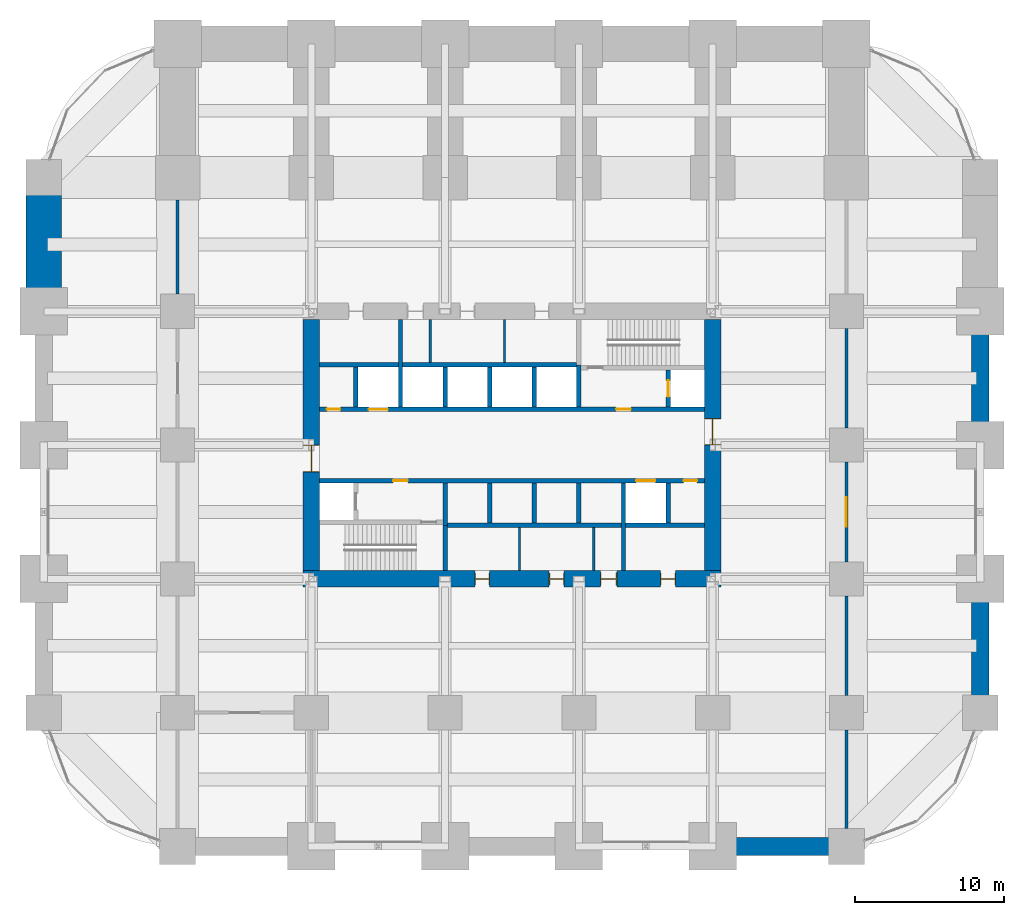
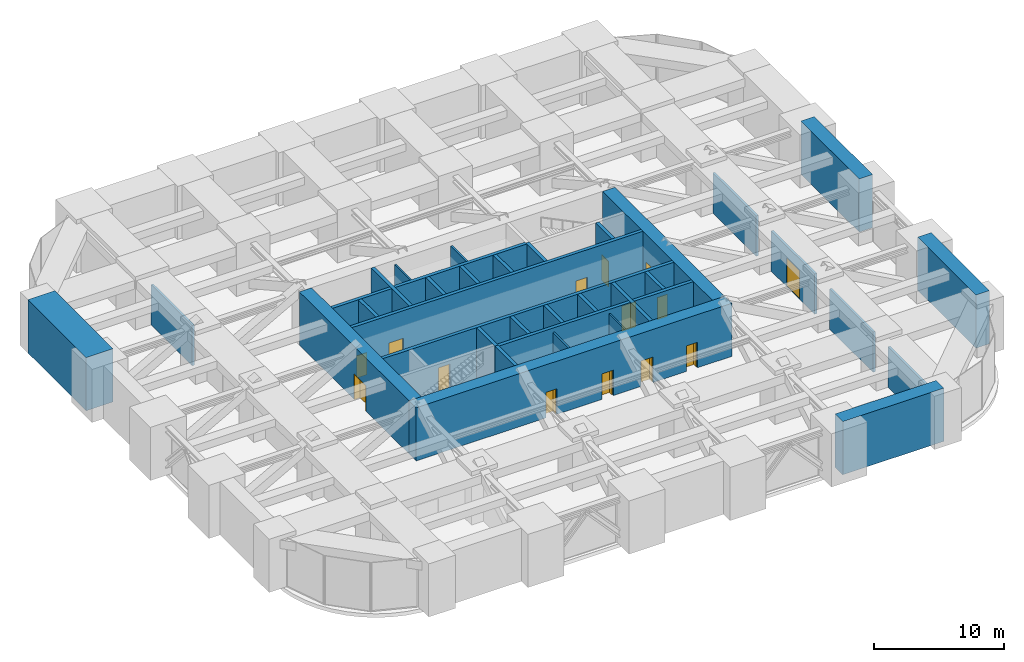
# One storey, part 33 of 35: 34 walls, 14 doors, 14 openings.
"""IFC4 building model written with IfcOpenShell, lengths in metres."""

from ifc_helpers import new_model, si_unit, direction, frame, frame_2d, origin, place, context, subcontext, project, spatial, rectangle, extrude, material, layer, layer_set, type_object, element, fill, save


model = new_model("IFC4")

# Units and contexts
model_context = context("Model", 3, precision=1e-05, world=origin(), true_north=direction((0.0, 1.0)))
body_context = subcontext(model_context, "Body", "Model", "MODEL_VIEW")
ifc_project = project(units=[si_unit("LENGTHUNIT", "METRE"), si_unit("AREAUNIT", "SQUARE_METRE"), si_unit("VOLUMEUNIT", "CUBIC_METRE"), si_unit("PLANEANGLEUNIT", "RADIAN"), si_unit("MASSUNIT", "GRAM", prefix="KILO")], contexts=[model_context])

# Site, building, storey
site_placement = place(None, origin())
site = spatial("IfcSite", under=ifc_project, at=site_placement, CompositionType="ELEMENT")
building_placement = place(site_placement, origin())
building = spatial("IfcBuilding", under=site, at=building_placement, Name="Zorevar Civic Tower", CompositionType="ELEMENT")
storey_placement = place(building_placement, frame((0.0, 0.0, 80.0)))
storey = spatial("IfcBuildingStorey", under=building, at=storey_placement, Name="L19", CompositionType="ELEMENT", Elevation=80.0)

# Walls
ifc_material_1 = material(Name="Concrete C50/60", Category="concrete")
ifc_layer_1 = layer(ifc_material_1, 1.199951171875)
ifc_layer_set_1 = layer_set([ifc_layer_1], Name="Belt wall 1200")
wall_type_1 = type_object("IfcWallType", Name="Belt wall 1200", PredefinedType="SHEAR", material=ifc_layer_set_1)
for number, where, z_axis, x_axis, name in (
    (1, (45.0, 0.0, 0.0), (0.0, 0.0, 1.0), (1.0, 0.0, 0.0), "Belt wall S L19"),
    (2, (63.0, 9.0, 0.0), (0.0, 0.0, 1.0), (0.0, 1.0, 0.0), "Belt wall E L19"),
    (3, (63.0, 27.0, 0.0), (0.0, 0.0, 1.0), (0.0, 1.0, 0.0), "Belt wall E L19"),
):
    element("IfcWall", number, at=place(storey_placement, frame(where, z_axis=z_axis, x_axis=x_axis)), inside=storey, type_object=wall_type_1, Name=name, PredefinedType="SHEAR", context=body_context, shape_type="SweptSolid", body=[
        extrude(rectangle(XDim=9.0, YDim=1.199951171875, at=frame_2d((4.5, 0.0))), origin(), (0.0, 0.0, 1.0), 5.0),
    ])
ifc_material_2 = material(Name="Concrete blockwork", Category="masonry")
ifc_layer_2 = layer(ifc_material_2, 0.199951171875)
ifc_layer_set_2 = layer_set([ifc_layer_2], Name="Blockwork wall 200")
wall_type_2 = type_object("IfcWallType", Name="Blockwork wall 200", PredefinedType="SOLIDWALL", material=ifc_layer_set_2)
wall_1_placement = place(storey_placement, frame((9.0, 37.14990234375, 0.0), z_axis=(0.0, 0.0, 1.0), x_axis=(0.0, 1.0, 0.0)))
element("IfcWall", 4, at=wall_1_placement, inside=storey, type_object=wall_type_2, Name="Blockwork wall 200 L19", PredefinedType="SOLIDWALL", context=body_context, shape_type="SweptSolid", body=[
    extrude(rectangle(XDim=6.35009765625, YDim=0.199951171875, at=frame_2d((3.175048828125, 0.0))), origin(), (0.0, 0.0, 1.0), 3.800048828125),
])
wall_2_placement = place(storey_placement, frame((54.0, 1.199951171875, 0.0), z_axis=(0.0, 0.0, 1.0), x_axis=(0.0, 1.0, 0.0)))
element("IfcWall", 5, at=wall_2_placement, inside=storey, type_object=wall_type_2, Name="Blockwork wall 200 L19", PredefinedType="SOLIDWALL", context=body_context, shape_type="SweptSolid", body=[
    extrude(rectangle(XDim=6.650146484375, YDim=0.199951171875, at=frame_2d((3.3251953125, 0.0))), origin(), (0.0, 0.0, 1.0), 3.800048828125),
])
wall_3_placement = place(storey_placement, frame((54.0, 10.14990234375, 0.0), z_axis=(0.0, 0.0, 1.0), x_axis=(0.0, 1.0, 0.0)))
element("IfcWall", 6, at=wall_3_placement, inside=storey, type_object=wall_type_2, Name="Blockwork wall 200 L19", PredefinedType="SOLIDWALL", context=body_context, shape_type="SweptSolid", body=[
    extrude(rectangle(XDim=6.7001953125, YDim=0.199951171875, at=frame_2d((3.35009765625, 0.0))), origin(), (0.0, 0.0, 1.0), 3.800048828125),
])

# Wall, opening, door
wall_4_placement = place(storey_placement, frame((54.0, 19.14990234375, 0.0), z_axis=(0.0, 0.0, 1.0), x_axis=(0.0, 1.0, 0.0)))
wall_4 = element("IfcWall", 7, at=wall_4_placement, inside=storey, type_object=wall_type_2, Name="Blockwork wall 200 L19", PredefinedType="SOLIDWALL", context=body_context, shape_type="SweptSolid", body=[
    extrude(rectangle(XDim=6.7001953125, YDim=0.199951171875, at=frame_2d((3.35009765625, 0.0))), origin(), (0.0, 0.0, 1.0), 3.800048828125),
])
opening_1_placement = place(wall_4_placement, frame((2.35009765625, 0.0, 0.0)))
opening_1 = element("IfcOpeningElement", 8, at=opening_1_placement, cuts=wall_4, Name="Opening L19.18", PredefinedType="OPENING", context=body_context, shape_type="SweptSolid", body=[
    extrude(rectangle(XDim=2.0, YDim=2.699951171875, at=frame_2d((1.0, 1.35009765625))), frame((0.0, 0.10986328125, 0.0), z_axis=(0.0, -1.0, 0.0), x_axis=(1.0, 0.0, 0.0)), (0.0, 0.0, 1.0), 0.219970703125),
])
ifc_material_3 = material(Name="Steel door set", Category="steel")
door_type_1 = type_object("IfcDoorType", Name="Plant room door PD1 2000x2700", OperationType="DOUBLE_DOOR_SINGLE_SWING", PredefinedType="DOOR", material=ifc_material_3)
door_1_placement = place(opening_1_placement, origin())
door_1 = element("IfcDoor", 9, at=door_1_placement, inside=storey, type_object=door_type_1, Name="Door L19 D1", OperationType="DOUBLE_DOOR_SINGLE_SWING", OverallHeight=2.699951171875, OverallWidth=2.0, PredefinedType="DOOR", context=body_context, shape_type="SweptSolid", body=[
    extrude(rectangle(XDim=2.0, YDim=2.699951171875, at=frame_2d((1.0, 1.35009765625))), frame((0.0, 0.030029296875, 0.0), z_axis=(0.0, -1.0, 0.0), x_axis=(1.0, 0.0, 0.0)), (0.0, 0.0, 1.0), 0.06005859375),
])
fill(opening_1, door_1)

# Wall
wall_5_placement = place(storey_placement, frame((54.0, 28.14990234375, 0.0), z_axis=(0.0, 0.0, 1.0), x_axis=(0.0, 1.0, 0.0)))
element("IfcWall", 10, at=wall_5_placement, inside=storey, type_object=wall_type_2, Name="Blockwork wall 200 L19", PredefinedType="SOLIDWALL", context=body_context, shape_type="SweptSolid", body=[
    extrude(rectangle(XDim=6.7001953125, YDim=0.199951171875, at=frame_2d((3.35009765625, 0.0))), origin(), (0.0, 0.0, 1.0), 3.800048828125),
])

# Wall, openings, doors
ifc_material_4 = material(Name="Concrete C50/60", Category="concrete")
ifc_layer_3 = layer(ifc_material_4, 1.10009765625)
ifc_layer_set_3 = layer_set([ifc_layer_3], Name="Core wall 1100")
wall_type_3 = type_object("IfcWallType", Name="Core wall 1100", PredefinedType="SHEAR", material=ifc_layer_set_3)
wall_6_placement = place(storey_placement, frame((17.449951171875, 18.0, 0.0), z_axis=(0.0, 0.0, 1.0), x_axis=(1.0, 0.0, 0.0)))
wall_6 = element("IfcWall", 11, at=wall_6_placement, inside=storey, type_object=wall_type_3, Name="Core wall S L19", PredefinedType="SHEAR", context=body_context, shape_type="SweptSolid", body=[
    extrude(rectangle(XDim=28.10009765625, YDim=1.10009765625, at=frame_2d((14.050048828125, 0.0))), origin(), (0.0, 0.0, 1.0), 5.0),
])
opening_2_placement = place(wall_6_placement, frame((11.550048828125, 0.0, 0.0)))
opening_2 = element("IfcOpeningElement", 12, at=opening_2_placement, cuts=wall_6, Name="Opening L19.03", PredefinedType="OPENING", context=body_context, shape_type="SweptSolid", body=[
    extrude(rectangle(XDim=1.0, YDim=2.39990234375, at=frame_2d((0.5, 1.199951171875))), frame((0.0, 0.56005859375, 0.0), z_axis=(0.0, -1.0, 0.0), x_axis=(1.0, 0.0, 0.0)), (0.0, 0.0, 1.0), 1.1201171875),
])
opening_3_placement = place(wall_6_placement, frame((16.550048828125, 0.0, 0.0)))
opening_3 = element("IfcOpeningElement", 13, at=opening_3_placement, cuts=wall_6, Name="Opening L19.04", PredefinedType="OPENING", context=body_context, shape_type="SweptSolid", body=[
    extrude(rectangle(XDim=1.0, YDim=2.39990234375, at=frame_2d((0.5, 1.199951171875))), frame((0.0, 0.56005859375, 0.0), z_axis=(0.0, -1.0, 0.0), x_axis=(1.0, 0.0, 0.0)), (0.0, 0.0, 1.0), 1.1201171875),
])
opening_4_placement = place(wall_6_placement, frame((20.0, 0.0, 0.0)))
opening_4 = element("IfcOpeningElement", 14, at=opening_4_placement, cuts=wall_6, Name="Opening L19.05", PredefinedType="OPENING", context=body_context, shape_type="SweptSolid", body=[
    extrude(rectangle(XDim=1.10009765625, YDim=2.39990234375, at=frame_2d((0.550048828125, 1.199951171875))), frame((0.0, 0.56005859375, 0.0), z_axis=(0.0, -1.0, 0.0), x_axis=(1.0, 0.0, 0.0)), (0.0, 0.0, 1.0), 1.1201171875),
])
opening_5_placement = place(wall_6_placement, frame((24.050048828125, 0.0, 0.0)))
opening_5 = element("IfcOpeningElement", 15, at=opening_5_placement, cuts=wall_6, Name="Opening L19.06", PredefinedType="OPENING", context=body_context, shape_type="SweptSolid", body=[
    extrude(rectangle(XDim=1.0, YDim=2.39990234375, at=frame_2d((0.5, 1.199951171875))), frame((0.0, 0.56005859375, 0.0), z_axis=(0.0, -1.0, 0.0), x_axis=(1.0, 0.0, 0.0)), (0.0, 0.0, 1.0), 1.1201171875),
])
ifc_material_5 = material(Name="Timber door set", Category="wood")
door_type_2 = type_object("IfcDoorType", Name="Door D1 1000x2400", OperationType="SINGLE_SWING_LEFT", PredefinedType="DOOR", material=ifc_material_5)
door_2_placement = place(opening_2_placement, origin())
door_2 = element("IfcDoor", 16, at=door_2_placement, inside=storey, type_object=door_type_2, Name="Door L19 02", OperationType="SINGLE_SWING_LEFT", OverallHeight=2.39990234375, OverallWidth=1.0, PredefinedType="DOOR", context=body_context, shape_type="SweptSolid", body=[
    extrude(rectangle(XDim=1.0, YDim=2.39990234375, at=frame_2d((0.5, 1.199951171875))), frame((0.0, 0.02490234375, 0.0), z_axis=(0.0, -1.0, 0.0), x_axis=(1.0, 0.0, 0.0)), (0.0, 0.0, 1.0), 0.050048828125),
    extrude(rectangle(XDim=0.04, YDim=2.39990234375, at=frame_2d((0.02001953125, 1.199951171875))), frame((0.0, 0.39990234375, 0.0), z_axis=(0.0, -1.0, 0.0), x_axis=(1.0, 0.0, 0.0)), (0.0, 0.0, 1.0), 0.800048828125),
    extrude(rectangle(XDim=0.04, YDim=2.39990234375, at=frame_2d((0.97998046875, 1.199951171875))), frame((0.0, 0.39990234375, 0.0), z_axis=(0.0, -1.0, 0.0), x_axis=(1.0, 0.0, 0.0)), (0.0, 0.0, 1.0), 0.800048828125),
    extrude(rectangle(XDim=1.0, YDim=0.04, at=frame_2d((0.5, 2.3798828125))), frame((0.0, 0.39990234375, 0.0), z_axis=(0.0, -1.0, 0.0), x_axis=(1.0, 0.0, 0.0)), (0.0, 0.0, 1.0), 0.800048828125),
])
fill(opening_2, door_2)
door_3_placement = place(opening_3_placement, origin())
door_3 = element("IfcDoor", 17, at=door_3_placement, inside=storey, type_object=door_type_2, Name="Door L19 03", OperationType="SINGLE_SWING_RIGHT", OverallHeight=2.39990234375, OverallWidth=1.0, PredefinedType="DOOR", context=body_context, shape_type="SweptSolid", body=[
    extrude(rectangle(XDim=1.0, YDim=2.39990234375, at=frame_2d((0.5, 1.199951171875))), frame((0.0, 0.02490234375, 0.0), z_axis=(0.0, -1.0, 0.0), x_axis=(1.0, 0.0, 0.0)), (0.0, 0.0, 1.0), 0.050048828125),
    extrude(rectangle(XDim=0.04, YDim=2.39990234375, at=frame_2d((0.02001953125, 1.199951171875))), frame((0.0, 0.39990234375, 0.0), z_axis=(0.0, -1.0, 0.0), x_axis=(1.0, 0.0, 0.0)), (0.0, 0.0, 1.0), 0.800048828125),
    extrude(rectangle(XDim=0.04, YDim=2.39990234375, at=frame_2d((0.97998046875, 1.199951171875))), frame((0.0, 0.39990234375, 0.0), z_axis=(0.0, -1.0, 0.0), x_axis=(1.0, 0.0, 0.0)), (0.0, 0.0, 1.0), 0.800048828125),
    extrude(rectangle(XDim=1.0, YDim=0.04, at=frame_2d((0.5, 2.3798828125))), frame((0.0, 0.39990234375, 0.0), z_axis=(0.0, -1.0, 0.0), x_axis=(1.0, 0.0, 0.0)), (0.0, 0.0, 1.0), 0.800048828125),
])
fill(opening_3, door_3)
door_4_placement = place(opening_5_placement, origin())
door_4 = element("IfcDoor", 18, at=door_4_placement, inside=storey, type_object=door_type_2, Name="Door L19 05", OperationType="SINGLE_SWING_RIGHT", OverallHeight=2.39990234375, OverallWidth=1.0, PredefinedType="DOOR", context=body_context, shape_type="SweptSolid", body=[
    extrude(rectangle(XDim=1.0, YDim=2.39990234375, at=frame_2d((0.5, 1.199951171875))), frame((0.0, 0.02490234375, 0.0), z_axis=(0.0, -1.0, 0.0), x_axis=(1.0, 0.0, 0.0)), (0.0, 0.0, 1.0), 0.050048828125),
    extrude(rectangle(XDim=0.04, YDim=2.39990234375, at=frame_2d((0.02001953125, 1.199951171875))), frame((0.0, 0.39990234375, 0.0), z_axis=(0.0, -1.0, 0.0), x_axis=(1.0, 0.0, 0.0)), (0.0, 0.0, 1.0), 0.800048828125),
    extrude(rectangle(XDim=0.04, YDim=2.39990234375, at=frame_2d((0.97998046875, 1.199951171875))), frame((0.0, 0.39990234375, 0.0), z_axis=(0.0, -1.0, 0.0), x_axis=(1.0, 0.0, 0.0)), (0.0, 0.0, 1.0), 0.800048828125),
    extrude(rectangle(XDim=1.0, YDim=0.04, at=frame_2d((0.5, 2.3798828125))), frame((0.0, 0.39990234375, 0.0), z_axis=(0.0, -1.0, 0.0), x_axis=(1.0, 0.0, 0.0)), (0.0, 0.0, 1.0), 0.800048828125),
])
fill(opening_5, door_4)
ifc_material_6 = material(Name="Timber door set", Category="wood")
door_type_3 = type_object("IfcDoorType", Name="Door D5 1100x2400", OperationType="SINGLE_SWING_LEFT", PredefinedType="DOOR", material=ifc_material_6)
door_5_placement = place(opening_4_placement, origin())
door_5 = element("IfcDoor", 19, at=door_5_placement, inside=storey, type_object=door_type_3, Name="Door L19 04", OperationType="SINGLE_SWING_RIGHT", OverallHeight=2.39990234375, OverallWidth=1.10009765625, PredefinedType="DOOR", context=body_context, shape_type="SweptSolid", body=[
    extrude(rectangle(XDim=1.10009765625, YDim=2.39990234375, at=frame_2d((0.550048828125, 1.199951171875))), frame((0.0, 0.02490234375, 0.0), z_axis=(0.0, -1.0, 0.0), x_axis=(1.0, 0.0, 0.0)), (0.0, 0.0, 1.0), 0.050048828125),
    extrude(rectangle(XDim=0.04, YDim=2.39990234375, at=frame_2d((0.02001953125, 1.199951171875))), frame((0.0, 0.43994140625, 0.0), z_axis=(0.0, -1.0, 0.0), x_axis=(1.0, 0.0, 0.0)), (0.0, 0.0, 1.0), 0.880126953125),
    extrude(rectangle(XDim=0.04, YDim=2.39990234375, at=frame_2d((1.080078125, 1.199951171875))), frame((0.0, 0.43994140625, 0.0), z_axis=(0.0, -1.0, 0.0), x_axis=(1.0, 0.0, 0.0)), (0.0, 0.0, 1.0), 0.880126953125),
    extrude(rectangle(XDim=1.10009765625, YDim=0.04, at=frame_2d((0.550048828125, 2.3798828125))), frame((0.0, 0.43994140625, 0.0), z_axis=(0.0, -1.0, 0.0), x_axis=(1.0, 0.0, 0.0)), (0.0, 0.0, 1.0), 0.880126953125),
])
fill(opening_4, door_5)

# Wall, opening, door
wall_7_placement = place(storey_placement, frame((18.0, 35.449951171875, 0.0), z_axis=(0.0, 0.0, 1.0), x_axis=(0.0, -1.0, 0.0)))
wall_7 = element("IfcWall", 20, at=wall_7_placement, inside=storey, type_object=wall_type_3, Name="Core wall W L19", PredefinedType="SHEAR", context=body_context, shape_type="SweptSolid", body=[
    extrude(rectangle(XDim=16.89990234375, YDim=1.10009765625, at=frame_2d((8.449951171875, 0.0))), origin(), (0.0, 0.0, 1.0), 5.0),
])
opening_6_placement = place(wall_7_placement, frame((8.449951171875, 0.0, 0.0)))
opening_6 = element("IfcOpeningElement", 21, at=opening_6_placement, cuts=wall_7, Name="Opening L19.01", PredefinedType="OPENING", context=body_context, shape_type="SweptSolid", body=[
    extrude(rectangle(XDim=1.800048828125, YDim=2.39990234375, at=frame_2d((0.89990234375, 1.199951171875))), frame((0.0, 0.56005859375, 0.0), z_axis=(0.0, -1.0, 0.0), x_axis=(1.0, 0.0, 0.0)), (0.0, 0.0, 1.0), 1.1201171875),
])
ifc_material_7 = material(Name="Steel door set", Category="steel")
door_type_4 = type_object("IfcDoorType", Name="Fire door FD2 1800x2400", OperationType="DOUBLE_DOOR_DOUBLE_SWING", PredefinedType="DOOR", material=ifc_material_7)
door_6_placement = place(opening_6_placement, origin())
door_6 = element("IfcDoor", 22, at=door_6_placement, inside=storey, type_object=door_type_4, Name="Door L19 00", OperationType="DOUBLE_DOOR_DOUBLE_SWING", OverallHeight=2.39990234375, OverallWidth=1.800048828125, PredefinedType="DOOR", context=body_context, shape_type="SweptSolid", body=[
    extrude(rectangle(XDim=1.800048828125, YDim=2.39990234375, at=frame_2d((0.89990234375, 1.199951171875))), frame((0.0, 0.030029296875, 0.0), z_axis=(0.0, -1.0, 0.0), x_axis=(1.0, 0.0, 0.0)), (0.0, 0.0, 1.0), 0.06005859375),
    extrude(rectangle(XDim=0.04, YDim=2.39990234375, at=frame_2d((0.02001953125, 1.199951171875))), frame((0.0, 0.5498046875, 0.0), z_axis=(0.0, -1.0, 0.0), x_axis=(1.0, 0.0, 0.0)), (0.0, 0.0, 1.0), 1.099609375),
    extrude(rectangle(XDim=0.04, YDim=2.39990234375, at=frame_2d((1.780029296875, 1.199951171875))), frame((0.0, 0.5498046875, 0.0), z_axis=(0.0, -1.0, 0.0), x_axis=(1.0, 0.0, 0.0)), (0.0, 0.0, 1.0), 1.099609375),
    extrude(rectangle(XDim=1.800048828125, YDim=0.04, at=frame_2d((0.89990234375, 2.3798828125))), frame((0.0, 0.5498046875, 0.0), z_axis=(0.0, -1.0, 0.0), x_axis=(1.0, 0.0, 0.0)), (0.0, 0.0, 1.0), 1.099609375),
])
fill(opening_6, door_6)

wall_8_placement = place(storey_placement, frame((45.0, 18.550048828125, 0.0), z_axis=(0.0, 0.0, 1.0), x_axis=(0.0, 1.0, 0.0)))
wall_8 = element("IfcWall", 23, at=wall_8_placement, inside=storey, type_object=wall_type_3, Name="Core wall E L19", PredefinedType="SHEAR", context=body_context, shape_type="SweptSolid", body=[
    extrude(rectangle(XDim=16.89990234375, YDim=1.10009765625, at=frame_2d((8.449951171875, 0.0))), origin(), (0.0, 0.0, 1.0), 5.0),
])
opening_7_placement = place(wall_8_placement, frame((8.449951171875, 0.0, 0.0)))
opening_7 = element("IfcOpeningElement", 24, at=opening_7_placement, cuts=wall_8, Name="Opening L19.02", PredefinedType="OPENING", context=body_context, shape_type="SweptSolid", body=[
    extrude(rectangle(XDim=1.800048828125, YDim=2.39990234375, at=frame_2d((0.89990234375, 1.199951171875))), frame((0.0, 0.56005859375, 0.0), z_axis=(0.0, -1.0, 0.0), x_axis=(1.0, 0.0, 0.0)), (0.0, 0.0, 1.0), 1.1201171875),
])
door_7_placement = place(opening_7_placement, origin())
door_7 = element("IfcDoor", 25, at=door_7_placement, inside=storey, type_object=door_type_4, Name="Door L19 01", OperationType="DOUBLE_DOOR_DOUBLE_SWING", OverallHeight=2.39990234375, OverallWidth=1.800048828125, PredefinedType="DOOR", context=body_context, shape_type="SweptSolid", body=[
    extrude(rectangle(XDim=1.800048828125, YDim=2.39990234375, at=frame_2d((0.89990234375, 1.199951171875))), frame((0.0, 0.030029296875, 0.0), z_axis=(0.0, -1.0, 0.0), x_axis=(1.0, 0.0, 0.0)), (0.0, 0.0, 1.0), 0.06005859375),
    extrude(rectangle(XDim=0.04, YDim=2.39990234375, at=frame_2d((0.02001953125, 1.199951171875))), frame((0.0, 0.5498046875, 0.0), z_axis=(0.0, -1.0, 0.0), x_axis=(1.0, 0.0, 0.0)), (0.0, 0.0, 1.0), 1.099609375),
    extrude(rectangle(XDim=0.04, YDim=2.39990234375, at=frame_2d((1.780029296875, 1.199951171875))), frame((0.0, 0.5498046875, 0.0), z_axis=(0.0, -1.0, 0.0), x_axis=(1.0, 0.0, 0.0)), (0.0, 0.0, 1.0), 1.099609375),
    extrude(rectangle(XDim=1.800048828125, YDim=0.04, at=frame_2d((0.89990234375, 2.3798828125))), frame((0.0, 0.5498046875, 0.0), z_axis=(0.0, -1.0, 0.0), x_axis=(1.0, 0.0, 0.0)), (0.0, 0.0, 1.0), 1.099609375),
])
fill(opening_7, door_7)

# Wall
ifc_material_8 = material(Name="Concrete C40/50", Category="concrete")
ifc_layer_4 = layer(ifc_material_8, 0.300048828125)
ifc_layer_set_4 = layer_set([ifc_layer_4], Name="Inner core wall 300")
wall_type_4 = type_object("IfcWallType", Name="Inner core wall 300", PredefinedType="SHEAR", material=ifc_layer_set_4)
wall_9_placement = place(storey_placement, frame((27.0, 18.550048828125, 0.0), z_axis=(0.0, 0.0, 1.0), x_axis=(0.0, 1.0, 0.0)))
element("IfcWall", 26, at=wall_9_placement, inside=storey, type_object=wall_type_4, Name="Inner core wall S01 L19", PredefinedType="SHEAR", context=body_context, shape_type="SweptSolid", body=[
    extrude(rectangle(XDim=3.050048828125, YDim=0.300048828125, at=frame_2d((1.52490234375, 0.0))), origin(), (0.0, 0.0, 1.0), 5.0),
])

# Wall, opening, door
wall_10_placement = place(storey_placement, frame((42.0, 29.550048828125, 0.0), z_axis=(0.0, 0.0, 1.0), x_axis=(0.0, 1.0, 0.0)))
wall_10 = element("IfcWall", 27, at=wall_10_placement, inside=storey, type_object=wall_type_4, Name="Inner core wall N02 L19", PredefinedType="SHEAR", context=body_context, shape_type="SweptSolid", body=[
    extrude(rectangle(XDim=2.5, YDim=0.300048828125, at=frame_2d((1.25, 0.0))), origin(), (0.0, 0.0, 1.0), 5.0),
])
opening_8_placement = place(wall_10_placement, frame((0.699951171875, 0.0, 0.0)))
opening_8 = element("IfcOpeningElement", 28, at=opening_8_placement, cuts=wall_10, Name="Opening L19.FL2", PredefinedType="OPENING", context=body_context, shape_type="SweptSolid", body=[
    extrude(rectangle(XDim=1.10009765625, YDim=2.39990234375, at=frame_2d((0.550048828125, 1.199951171875))), frame((0.0, 0.159912109375, 0.0), z_axis=(0.0, -1.0, 0.0), x_axis=(1.0, 0.0, 0.0)), (0.0, 0.0, 1.0), 0.320068359375),
])
ifc_material_9 = material(Name="Steel door set", Category="steel")
door_type_5 = type_object("IfcDoorType", Name="Firefighting lift landing door LD3 1100x2400", OperationType="DOUBLE_DOOR_SLIDING", PredefinedType="DOOR", material=ifc_material_9)
door_8_placement = place(opening_8_placement, origin())
door_8 = element("IfcDoor", 29, at=door_8_placement, inside=storey, type_object=door_type_5, Name="Landing door FL2 L19", OperationType="DOUBLE_DOOR_SLIDING", OverallHeight=2.39990234375, OverallWidth=1.10009765625, PredefinedType="DOOR", context=body_context, shape_type="SweptSolid", body=[
    extrude(rectangle(XDim=1.10009765625, YDim=2.39990234375, at=frame_2d((0.550048828125, 1.199951171875))), frame((0.0, 0.030029296875, 0.0), z_axis=(0.0, -1.0, 0.0), x_axis=(1.0, 0.0, 0.0)), (0.0, 0.0, 1.0), 0.06005859375),
])
fill(opening_8, door_8)

# Wall, openings, doors
wall_11_placement = place(storey_placement, frame((18.550048828125, 24.60009765625, 0.0), z_axis=(0.0, 0.0, 1.0), x_axis=(1.0, 0.0, 0.0)))
wall_11 = element("IfcWall", 30, at=wall_11_placement, inside=storey, type_object=wall_type_4, Name="Inner core wall S03 L19", PredefinedType="SHEAR", context=body_context, shape_type="SweptSolid", body=[
    extrude(rectangle(XDim=25.89990234375, YDim=0.300048828125, at=frame_2d((12.949951171875, 0.0))), origin(), (0.0, 0.0, 1.0), 5.0),
])
opening_9_placement = place(wall_11_placement, frame((4.949951171875, 0.0, 0.0)))
opening_9 = element("IfcOpeningElement", 31, at=opening_9_placement, cuts=wall_11, Name="Opening L19.13", PredefinedType="OPENING", context=body_context, shape_type="SweptSolid", body=[
    extrude(rectangle(XDim=1.0, YDim=2.39990234375, at=frame_2d((0.5, 1.199951171875))), frame((0.0, 0.159912109375, 0.0), z_axis=(0.0, -1.0, 0.0), x_axis=(1.0, 0.0, 0.0)), (0.0, 0.0, 1.0), 0.320068359375),
])
opening_10_placement = place(wall_11_placement, frame((24.5, 0.0, 0.0)))
opening_10 = element("IfcOpeningElement", 32, at=opening_10_placement, cuts=wall_11, Name="Opening L19.15", PredefinedType="OPENING", context=body_context, shape_type="SweptSolid", body=[
    extrude(rectangle(XDim=0.89990234375, YDim=2.10009765625, at=frame_2d((0.449951171875, 1.050048828125))), frame((0.0, 0.159912109375, 0.0), z_axis=(0.0, -1.0, 0.0), x_axis=(1.0, 0.0, 0.0)), (0.0, 0.0, 1.0), 0.320068359375),
])
opening_11_placement = place(wall_11_placement, frame((21.300048828125, 0.0, 0.0)))
opening_11 = element("IfcOpeningElement", 33, at=opening_11_placement, cuts=wall_11, Name="Opening L19.SL1", PredefinedType="OPENING", context=body_context, shape_type="SweptSolid", body=[
    extrude(rectangle(XDim=1.300048828125, YDim=2.39990234375, at=frame_2d((0.64990234375, 1.199951171875))), frame((0.0, 0.159912109375, 0.0), z_axis=(0.0, -1.0, 0.0), x_axis=(1.0, 0.0, 0.0)), (0.0, 0.0, 1.0), 0.320068359375),
])
ifc_material_10 = material(Name="Steel door set", Category="steel")
door_type_6 = type_object("IfcDoorType", Name="Fire door FD1 1000x2400", OperationType="SINGLE_SWING_LEFT", PredefinedType="DOOR", material=ifc_material_10)
door_9_placement = place(opening_9_placement, origin())
door_9 = element("IfcDoor", 34, at=door_9_placement, inside=storey, type_object=door_type_6, Name="Door L19 12", OperationType="SINGLE_SWING_RIGHT", OverallHeight=2.39990234375, OverallWidth=1.0, PredefinedType="DOOR", context=body_context, shape_type="SweptSolid", body=[
    extrude(rectangle(XDim=1.0, YDim=2.39990234375, at=frame_2d((0.5, 1.199951171875))), frame((0.0, 0.030029296875, 0.0), z_axis=(0.0, -1.0, 0.0), x_axis=(1.0, 0.0, 0.0)), (0.0, 0.0, 1.0), 0.06005859375),
])
fill(opening_9, door_9)
ifc_material_11 = material(Name="Steel door set", Category="steel")
door_type_7 = type_object("IfcDoorType", Name="Landing door LD2 1300x2400", OperationType="DOUBLE_DOOR_SLIDING", PredefinedType="DOOR", material=ifc_material_11)
door_10_placement = place(opening_11_placement, origin())
door_10 = element("IfcDoor", 35, at=door_10_placement, inside=storey, type_object=door_type_7, Name="Landing door SL1 L19", OperationType="DOUBLE_DOOR_SLIDING", OverallHeight=2.39990234375, OverallWidth=1.300048828125, PredefinedType="DOOR", context=body_context, shape_type="SweptSolid", body=[
    extrude(rectangle(XDim=1.300048828125, YDim=2.39990234375, at=frame_2d((0.64990234375, 1.199951171875))), frame((0.0, 0.02001953125, 0.0), z_axis=(0.0, -1.0, 0.0), x_axis=(1.0, 0.0, 0.0)), (0.0, 0.0, 1.0), 0.0400390625),
])
fill(opening_11, door_10)
ifc_material_12 = material(Name="Steel door set", Category="steel")
door_type_8 = type_object("IfcDoorType", Name="Riser door RD1 900x2100", OperationType="SINGLE_SWING_LEFT", PredefinedType="DOOR", material=ifc_material_12)
door_11_placement = place(opening_10_placement, origin())
door_11 = element("IfcDoor", 36, at=door_11_placement, inside=storey, type_object=door_type_8, Name="Door L19 14", OperationType="SINGLE_SWING_RIGHT", OverallHeight=2.10009765625, OverallWidth=0.89990234375, PredefinedType="DOOR", context=body_context, shape_type="SweptSolid", body=[
    extrude(rectangle(XDim=0.89990234375, YDim=2.10009765625, at=frame_2d((0.449951171875, 1.050048828125))), frame((0.0, 0.030029296875, 0.0), z_axis=(0.0, -1.0, 0.0), x_axis=(1.0, 0.0, 0.0)), (0.0, 0.0, 1.0), 0.06005859375),
])
fill(opening_10, door_11)

wall_12_placement = place(storey_placement, frame((18.550048828125, 29.39990234375, 0.0), z_axis=(0.0, 0.0, 1.0), x_axis=(1.0, 0.0, 0.0)))
wall_12 = element("IfcWall", 37, at=wall_12_placement, inside=storey, type_object=wall_type_4, Name="Inner core wall N03 L19", PredefinedType="SHEAR", context=body_context, shape_type="SweptSolid", body=[
    extrude(rectangle(XDim=25.89990234375, YDim=0.300048828125, at=frame_2d((12.949951171875, 0.0))), origin(), (0.0, 0.0, 1.0), 5.0),
])
opening_12_placement = place(wall_12_placement, frame((19.949951171875, 0.0, 0.0)))
opening_12 = element("IfcOpeningElement", 38, at=opening_12_placement, cuts=wall_12, Name="Opening L19.14", PredefinedType="OPENING", context=body_context, shape_type="SweptSolid", body=[
    extrude(rectangle(XDim=1.0, YDim=2.39990234375, at=frame_2d((0.5, 1.199951171875))), frame((0.0, 0.159912109375, 0.0), z_axis=(0.0, -1.0, 0.0), x_axis=(1.0, 0.0, 0.0)), (0.0, 0.0, 1.0), 0.320068359375),
])
opening_13_placement = place(wall_12_placement, frame((0.5, 0.0, 0.0)))
opening_13 = element("IfcOpeningElement", 39, at=opening_13_placement, cuts=wall_12, Name="Opening L19.16", PredefinedType="OPENING", context=body_context, shape_type="SweptSolid", body=[
    extrude(rectangle(XDim=0.89990234375, YDim=2.10009765625, at=frame_2d((0.449951171875, 1.050048828125))), frame((0.0, 0.159912109375, 0.0), z_axis=(0.0, -1.0, 0.0), x_axis=(1.0, 0.0, 0.0)), (0.0, 0.0, 1.0), 0.320068359375),
])
opening_14_placement = place(wall_12_placement, frame((3.300048828125, 0.0, 0.0)))
opening_14 = element("IfcOpeningElement", 40, at=opening_14_placement, cuts=wall_12, Name="Opening L19.SL2", PredefinedType="OPENING", context=body_context, shape_type="SweptSolid", body=[
    extrude(rectangle(XDim=1.300048828125, YDim=2.39990234375, at=frame_2d((0.64990234375, 1.199951171875))), frame((0.0, 0.159912109375, 0.0), z_axis=(0.0, -1.0, 0.0), x_axis=(1.0, 0.0, 0.0)), (0.0, 0.0, 1.0), 0.320068359375),
])
door_12_placement = place(opening_12_placement, origin())
door_12 = element("IfcDoor", 41, at=door_12_placement, inside=storey, type_object=door_type_6, Name="Door L19 13", OperationType="SINGLE_SWING_RIGHT", OverallHeight=2.39990234375, OverallWidth=1.0, PredefinedType="DOOR", context=body_context, shape_type="SweptSolid", body=[
    extrude(rectangle(XDim=1.0, YDim=2.39990234375, at=frame_2d((0.5, 1.199951171875))), frame((0.0, 0.030029296875, 0.0), z_axis=(0.0, -1.0, 0.0), x_axis=(1.0, 0.0, 0.0)), (0.0, 0.0, 1.0), 0.06005859375),
])
fill(opening_12, door_12)
door_13_placement = place(opening_14_placement, origin())
door_13 = element("IfcDoor", 42, at=door_13_placement, inside=storey, type_object=door_type_7, Name="Landing door SL2 L19", OperationType="DOUBLE_DOOR_SLIDING", OverallHeight=2.39990234375, OverallWidth=1.300048828125, PredefinedType="DOOR", context=body_context, shape_type="SweptSolid", body=[
    extrude(rectangle(XDim=1.300048828125, YDim=2.39990234375, at=frame_2d((0.64990234375, 1.199951171875))), frame((0.0, 0.02001953125, 0.0), z_axis=(0.0, -1.0, 0.0), x_axis=(1.0, 0.0, 0.0)), (0.0, 0.0, 1.0), 0.0400390625),
])
fill(opening_14, door_13)
door_14_placement = place(opening_13_placement, origin())
door_14 = element("IfcDoor", 43, at=door_14_placement, inside=storey, type_object=door_type_8, Name="Door L19 15", OperationType="SINGLE_SWING_RIGHT", OverallHeight=2.10009765625, OverallWidth=0.89990234375, PredefinedType="DOOR", context=body_context, shape_type="SweptSolid", body=[
    extrude(rectangle(XDim=0.89990234375, YDim=2.10009765625, at=frame_2d((0.449951171875, 1.050048828125))), frame((0.0, 0.030029296875, 0.0), z_axis=(0.0, -1.0, 0.0), x_axis=(1.0, 0.0, 0.0)), (0.0, 0.0, 1.0), 0.06005859375),
])
fill(opening_13, door_14)

# Walls
for number, where, z_axis, x_axis, name in (
    (44, (27.14990234375, 21.60009765625, 0.0), (0.0, 0.0, 1.0), (1.0, 0.0, 0.0), "Inner core wall S04 L19"),
    (45, (18.550048828125, 32.39990234375, 0.0), (0.0, 0.0, 1.0), (1.0, 0.0, 0.0), "Inner core wall N04 L19"),
):
    element("IfcWall", number, at=place(storey_placement, frame(where, z_axis=z_axis, x_axis=x_axis)), inside=storey, type_object=wall_type_4, Name=name, PredefinedType="SHEAR", context=body_context, shape_type="SweptSolid", body=[
        extrude(rectangle(XDim=17.300048828125, YDim=0.300048828125, at=frame_2d((8.64990234375, 0.0))), origin(), (0.0, 0.0, 1.0), 5.0),
    ])
for number, where, z_axis, x_axis, name in (
    (46, (30.0, 21.75, 0.0), (0.0, 0.0, 1.0), (0.0, 1.0, 0.0), "Inner core wall S05 L19"),
    (47, (33.0, 29.550048828125, 0.0), (0.0, 0.0, 1.0), (0.0, 1.0, 0.0), "Inner core wall N05 L19"),
    (48, (33.0, 21.75, 0.0), (0.0, 0.0, 1.0), (0.0, 1.0, 0.0), "Inner core wall S06 L19"),
    (49, (30.0, 29.550048828125, 0.0), (0.0, 0.0, 1.0), (0.0, 1.0, 0.0), "Inner core wall N06 L19"),
    (50, (36.0, 21.75, 0.0), (0.0, 0.0, 1.0), (0.0, 1.0, 0.0), "Inner core wall S07 L19"),
    (51, (27.0, 29.550048828125, 0.0), (0.0, 0.0, 1.0), (0.0, 1.0, 0.0), "Inner core wall N07 L19"),
):
    element("IfcWall", number, at=place(storey_placement, frame(where, z_axis=z_axis, x_axis=x_axis)), inside=storey, type_object=wall_type_4, Name=name, PredefinedType="SHEAR", context=body_context, shape_type="SweptSolid", body=[
        extrude(rectangle(XDim=2.699951171875, YDim=0.300048828125, at=frame_2d((1.35009765625, 0.0))), origin(), (0.0, 0.0, 1.0), 5.0),
    ])
for number, where, z_axis, x_axis, name in (
    (52, (39.0, 18.550048828125, 0.0), (0.0, 0.0, 1.0), (0.0, 1.0, 0.0), "Inner core wall S08 L19"),
    (53, (24.0, 29.550048828125, 0.0), (0.0, 0.0, 1.0), (0.0, 1.0, 0.0), "Inner core wall N08 L19"),
):
    element("IfcWall", number, at=place(storey_placement, frame(where, z_axis=z_axis, x_axis=x_axis)), inside=storey, type_object=wall_type_4, Name=name, PredefinedType="SHEAR", context=body_context, shape_type="SweptSolid", body=[
        extrude(rectangle(XDim=5.89990234375, YDim=0.300048828125, at=frame_2d((2.949951171875, 0.0))), origin(), (0.0, 0.0, 1.0), 5.0),
    ])
for number, where, z_axis, x_axis, name in (
    (54, (42.0, 21.75, 0.0), (0.0, 0.0, 1.0), (0.0, 1.0, 0.0), "Inner core wall S09 L19"),
    (55, (21.0, 29.550048828125, 0.0), (0.0, 0.0, 1.0), (0.0, 1.0, 0.0), "Inner core wall N09 L19"),
):
    element("IfcWall", number, at=place(storey_placement, frame(where, z_axis=z_axis, x_axis=x_axis)), inside=storey, type_object=wall_type_4, Name=name, PredefinedType="SHEAR", context=body_context, shape_type="SweptSolid", body=[
        extrude(rectangle(XDim=2.699951171875, YDim=0.300048828125, at=frame_2d((1.35009765625, 0.0))), origin(), (0.0, 0.0, 1.0), 5.0),
    ])
for number, where, z_axis, x_axis, name in (
    (56, (27.0, 21.60009765625, 0.0), (0.0, 0.0, 1.0), (0.0, 1.0, 0.0), "Inner core wall S10 L19"),
    (57, (36.0, 29.550048828125, 0.0), (0.0, 0.0, 1.0), (0.0, 1.0, 0.0), "Inner core wall N10 L19"),
):
    element("IfcWall", number, at=place(storey_placement, frame(where, z_axis=z_axis, x_axis=x_axis)), inside=storey, type_object=wall_type_4, Name=name, PredefinedType="SHEAR", context=body_context, shape_type="SweptSolid", body=[
        extrude(rectangle(XDim=2.849853515625, YDim=0.300048828125, at=frame_2d((1.4248046875, 0.0))), origin(), (0.0, 0.0, 1.0), 5.0),
    ])
ifc_material_13 = material(Name="Concrete C50/60", Category="concrete")
ifc_layer_5 = layer(ifc_material_13, 2.39990234375)
ifc_layer_set_5 = layer_set([ifc_layer_5], Name="Setback tie wall 2400")
wall_type_5 = type_object("IfcWallType", Name="Setback tie wall 2400", PredefinedType="SHEAR", material=ifc_layer_set_5)
wall_13_placement = place(storey_placement, frame((0.0, 36.0, 0.0), z_axis=(0.0, 0.0, 1.0), x_axis=(0.0, 1.0, 0.0)))
element("IfcWall", 58, at=wall_13_placement, inside=storey, type_object=wall_type_5, Name="Setback belt wall W L19", PredefinedType="SHEAR", context=body_context, shape_type="SweptSolid", body=[
    extrude(rectangle(XDim=9.0, YDim=2.39990234375, at=frame_2d((4.5, 0.0))), origin(), (0.0, 0.0, 1.0), 5.0),
])
ifc_material_14 = material(Name="Gypsum board on steel studs, moisture resistant", Category="steel")
ifc_layer_6 = layer(ifc_material_14, 0.14990234375)
ifc_layer_set_6 = layer_set([ifc_layer_6], Name="WC partition 150")
wall_type_6 = type_object("IfcWallType", Name="WC partition 150", PredefinedType="PARTITIONING", material=ifc_layer_set_6)
for number, where, z_axis, x_axis, name in (
    (59, (32.0, 18.550048828125, 0.0), (0.0, 0.0, 1.0), (0.0, 1.0, 0.0), "WC partition L19"),
    (60, (31.0, 32.550048828125, 0.0), (0.0, 0.0, 1.0), (0.0, 1.0, 0.0), "WC partition L19"),
    (61, (37.0, 18.550048828125, 0.0), (0.0, 0.0, 1.0), (0.0, 1.0, 0.0), "WC partition L19"),
    (62, (26.0, 32.550048828125, 0.0), (0.0, 0.0, 1.0), (0.0, 1.0, 0.0), "WC partition L19"),
):
    element("IfcWall", number, at=place(storey_placement, frame(where, z_axis=z_axis, x_axis=x_axis)), inside=storey, type_object=wall_type_6, Name=name, PredefinedType="PARTITIONING", context=body_context, shape_type="SweptSolid", body=[
        extrude(rectangle(XDim=2.89990234375, YDim=0.14990234375, at=frame_2d((1.449951171875, 0.0))), origin(), (0.0, 0.0, 1.0), 4.60009765625),
    ])

save(model, "model.ifc")
